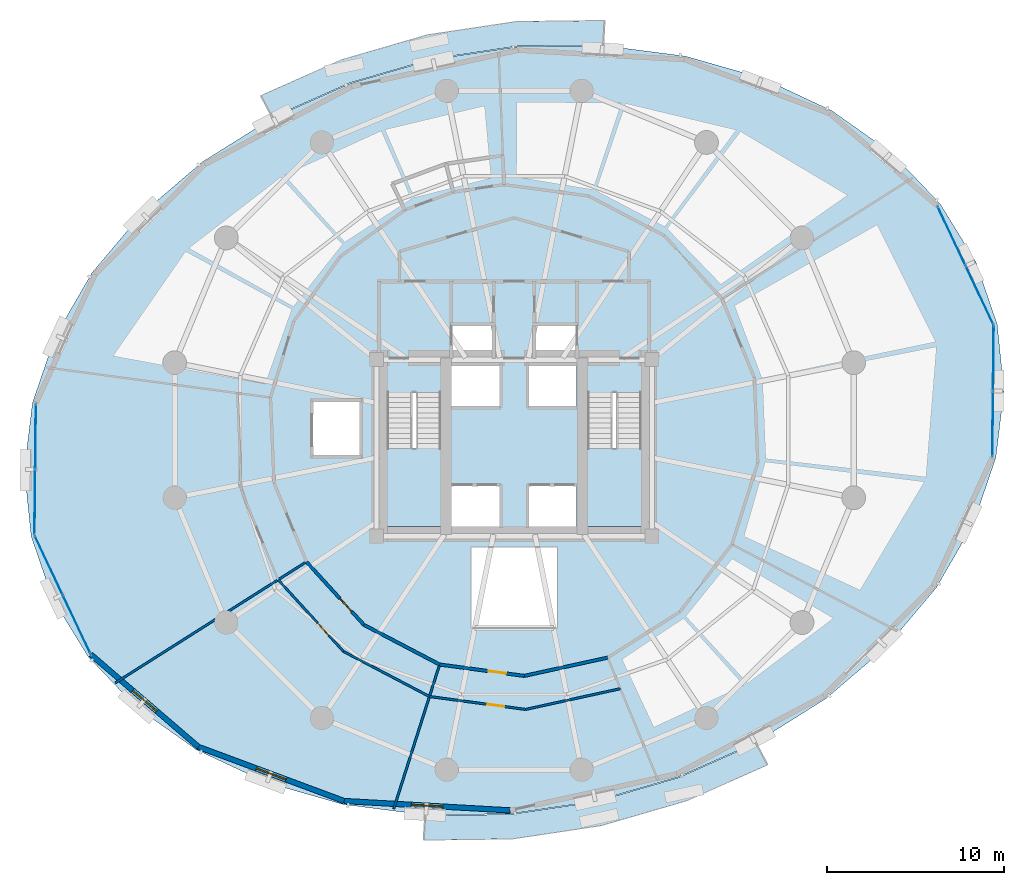
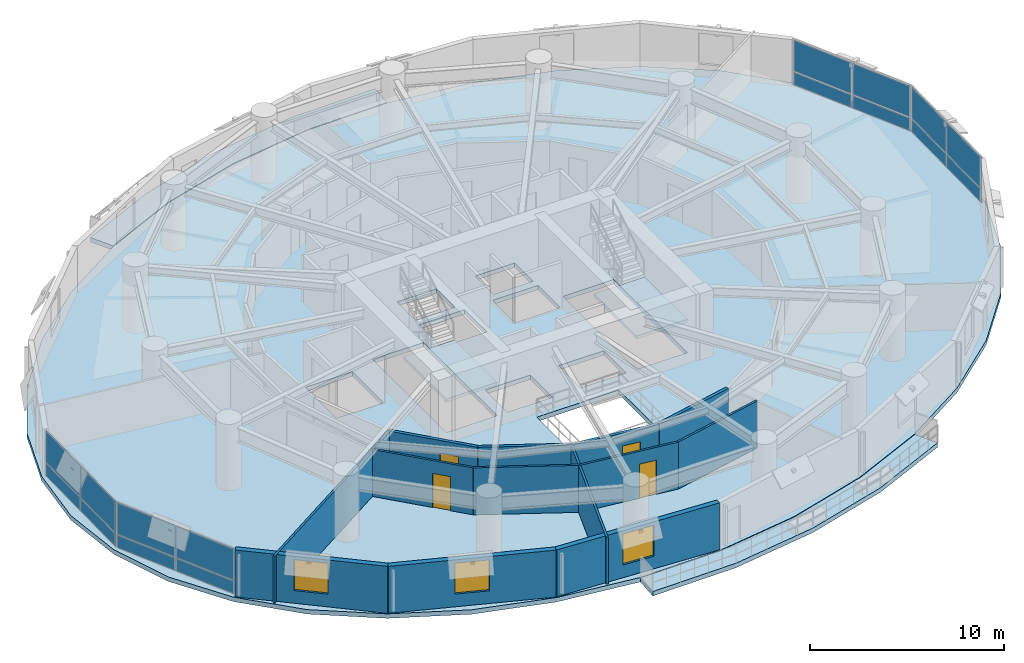
# One storey, part 11 of 17: 16 plates, 13 walls, 5 slabs, 4 doors, 3 windows, 7 openings, 6 elements without a shape of their own.
"""IFC4 building model written with IfcOpenShell, lengths in metres."""

from ifc_helpers import new_model, si_unit, direction, frame, frame_2d, origin, origin_2d, place, context, subcontext, project, spatial, polyline, rectangle, outline, extrude, material, layer, layer_set, type_object, element, fill, aggregate, save


model = new_model("IFC4")

# Units and contexts
model_context = context("Model", 3, precision=1e-05, world=origin(), true_north=direction((0.0, 1.0)))
body_context = subcontext(model_context, "Body", "Model", "MODEL_VIEW")
ifc_project = project(units=[si_unit("LENGTHUNIT", "METRE"), si_unit("AREAUNIT", "SQUARE_METRE"), si_unit("VOLUMEUNIT", "CUBIC_METRE"), si_unit("PLANEANGLEUNIT", "RADIAN"), si_unit("MASSUNIT", "GRAM", prefix="KILO"), si_unit("THERMODYNAMICTEMPERATUREUNIT", "KELVIN"), si_unit("POWERUNIT", "WATT")], contexts=[model_context])

# Site, building, storey
site_placement = place(None, origin())
site = spatial("IfcSite", under=ifc_project, at=site_placement, CompositionType="ELEMENT")
building_placement = place(site_placement, origin())
building = spatial("IfcBuilding", under=site, at=building_placement, Name="Ocrelia Relay Tower", CompositionType="ELEMENT")
storey_placement = place(building_placement, frame((0.0, 0.0, 84.60009765625)))
storey = spatial("IfcBuildingStorey", under=building, at=storey_placement, Name="L19", CompositionType="ELEMENT", Elevation=84.60009765625)

# Curtain wall, plates
ifc_material_1 = material(Name="Aluminium and solar-control low-E glass", Category="aluminium")
ifc_layer_1 = layer(ifc_material_1, 0.179931640625, Name="Aluminium and solar-control low-E glass")
ifc_layer_set_1 = layer_set([ifc_layer_1], Name="Aluminium and solar-control low-E glass")
curtain_wall_type = type_object("IfcCurtainWallType", Name="CW-SYS-Z1-DATA", PredefinedType="NOTDEFINED", material=ifc_layer_set_1)
curtain_wall_1_placement = place(storey_placement, origin())
curtain_wall_1 = element("IfcCurtainWall", 1, at=curtain_wall_1_placement, inside=storey, type_object=curtain_wall_type, Name="L19 Elliptical Tower Curtain Wall Bay 01", PredefinedType="NOTDEFINED")
ifc_material_2 = material(Name="Clear double-glazed low-E glass", Category="glass")
ifc_layer_2 = layer(ifc_material_2, 0.031982421875, Name="Clear double-glazed low-E glass")
ifc_layer_set_2 = layer_set([ifc_layer_2], Name="Clear double-glazed low-E glass")
plate_type = type_object("IfcPlateType", Name="CW-SYS-Z1-DATA-PNL", PredefinedType="CURTAIN_PANEL", material=ifc_layer_set_2)
plate_1_placement = place(storey_placement, frame((60.350341796875, 33.651123046875, 0.06494140625), z_axis=(0.0, 0.0, 1.0), x_axis=(-0.42751697878, 0.904007319027, 0.0)))
plate_1 = element("IfcPlate", 2, at=plate_1_placement, type_object=plate_type, Name="CW-Z1 panel 1.1", PredefinedType="CURTAIN_PANEL", context=body_context, shape_type="SweptSolid", body=[
    extrude(rectangle(XDim=3.6328125, YDim=0.031982421875, at=origin_2d()), origin(), (0.0, 0.0, 1.0), 0.802490234375),
])
plate_2_placement = place(storey_placement, frame((60.350341796875, 33.651123046875, 0.932373046875), z_axis=(0.0, 0.0, 1.0), x_axis=(-0.42751697878, 0.904007319027, 0.0)))
plate_2 = element("IfcPlate", 3, at=plate_2_placement, type_object=plate_type, Name="CW-Z1 panel 1.2", PredefinedType="CURTAIN_PANEL", context=body_context, shape_type="SweptSolid", body=[
    extrude(rectangle(XDim=3.6328125, YDim=0.031982421875, at=origin_2d()), origin(), (0.0, 0.0, 1.0), 1.96240234375),
])
plate_3_placement = place(storey_placement, frame((58.767333984375, 36.99853515625, 0.06494140625), z_axis=(0.0, 0.0, 1.0), x_axis=(-0.42751697878, 0.904007319027, 0.0)))
plate_3 = element("IfcPlate", 4, at=plate_3_placement, type_object=plate_type, Name="CW-Z1 panel 2.1", PredefinedType="CURTAIN_PANEL", context=body_context, shape_type="SweptSolid", body=[
    extrude(rectangle(XDim=3.6328125, YDim=0.031982421875, at=origin_2d()), origin(), (0.0, 0.0, 1.0), 0.802490234375),
])
plate_4_placement = place(storey_placement, frame((58.767333984375, 36.99853515625, 0.932373046875), z_axis=(0.0, 0.0, 1.0), x_axis=(-0.42751697878, 0.904007319027, 0.0)))
plate_4 = element("IfcPlate", 5, at=plate_4_placement, type_object=plate_type, Name="CW-Z1 panel 2.2", PredefinedType="CURTAIN_PANEL", context=body_context, shape_type="SweptSolid", body=[
    extrude(rectangle(XDim=3.6328125, YDim=0.031982421875, at=origin_2d()), origin(), (0.0, 0.0, 1.0), 1.96240234375),
])
aggregate(curtain_wall_1, [plate_1, plate_2, plate_3, plate_4])

curtain_wall_2_placement = place(storey_placement, origin())
curtain_wall_2 = element("IfcCurtainWall", 6, at=curtain_wall_2_placement, inside=storey, type_object=curtain_wall_type, Name="L19 Elliptical Tower Curtain Wall Bay 09", PredefinedType="NOTDEFINED")
plate_5_placement = place(storey_placement, frame((6.90283203125, 25.642822265625, 0.06494140625), z_axis=(0.0, 0.0, 1.0), x_axis=(-0.010648225703, -0.999943306038, 0.0)))
plate_5 = element("IfcPlate", 7, at=plate_5_placement, type_object=plate_type, Name="CW-Z1 panel 1.1", PredefinedType="CURTAIN_PANEL", context=body_context, shape_type="SweptSolid", body=[
    extrude(rectangle(XDim=3.6328125, YDim=0.031982421875, at=origin_2d()), origin(), (0.0, 0.0, 1.0), 0.802490234375),
])
plate_6_placement = place(storey_placement, frame((6.90283203125, 25.642822265625, 0.932373046875), z_axis=(0.0, 0.0, 1.0), x_axis=(-0.010648225703, -0.999943306038, 0.0)))
plate_6 = element("IfcPlate", 8, at=plate_6_placement, type_object=plate_type, Name="CW-Z1 panel 1.2", PredefinedType="CURTAIN_PANEL", context=body_context, shape_type="SweptSolid", body=[
    extrude(rectangle(XDim=3.6328125, YDim=0.031982421875, at=origin_2d()), origin(), (0.0, 0.0, 1.0), 1.96240234375),
])
plate_7_placement = place(storey_placement, frame((6.86328125, 21.9404296875, 0.06494140625), z_axis=(0.0, 0.0, 1.0), x_axis=(-0.010648225703, -0.999943306038, 0.0)))
plate_7 = element("IfcPlate", 9, at=plate_7_placement, type_object=plate_type, Name="CW-Z1 panel 2.1", PredefinedType="CURTAIN_PANEL", context=body_context, shape_type="SweptSolid", body=[
    extrude(rectangle(XDim=3.6328125, YDim=0.031982421875, at=origin_2d()), origin(), (0.0, 0.0, 1.0), 0.802490234375),
])
plate_8_placement = place(storey_placement, frame((6.86328125, 21.9404296875, 0.932373046875), z_axis=(0.0, 0.0, 1.0), x_axis=(-0.010648225703, -0.999943306038, 0.0)))
plate_8 = element("IfcPlate", 10, at=plate_8_placement, type_object=plate_type, Name="CW-Z1 panel 2.2", PredefinedType="CURTAIN_PANEL", context=body_context, shape_type="SweptSolid", body=[
    extrude(rectangle(XDim=3.6328125, YDim=0.031982421875, at=origin_2d()), origin(), (0.0, 0.0, 1.0), 1.96240234375),
])
aggregate(curtain_wall_2, [plate_5, plate_6, plate_7, plate_8])

curtain_wall_3_placement = place(storey_placement, origin())
curtain_wall_3 = element("IfcCurtainWall", 11, at=curtain_wall_3_placement, inside=storey, type_object=curtain_wall_type, Name="L19 Elliptical Tower Curtain Wall Bay 10", PredefinedType="NOTDEFINED")
plate_9_placement = place(storey_placement, frame((7.649658203125, 18.348876953125, 0.06494140625), z_axis=(0.0, 0.0, 1.0), x_axis=(0.42751697878, -0.904007319027, 0.0)))
plate_9 = element("IfcPlate", 12, at=plate_9_placement, type_object=plate_type, Name="CW-Z1 panel 1.1", PredefinedType="CURTAIN_PANEL", context=body_context, shape_type="SweptSolid", body=[
    extrude(rectangle(XDim=3.6328125, YDim=0.031982421875, at=origin_2d()), origin(), (0.0, 0.0, 1.0), 0.802490234375),
])
plate_10_placement = place(storey_placement, frame((7.649658203125, 18.348876953125, 0.932373046875), z_axis=(0.0, 0.0, 1.0), x_axis=(0.42751697878, -0.904007319027, 0.0)))
plate_10 = element("IfcPlate", 13, at=plate_10_placement, type_object=plate_type, Name="CW-Z1 panel 1.2", PredefinedType="CURTAIN_PANEL", context=body_context, shape_type="SweptSolid", body=[
    extrude(rectangle(XDim=3.6328125, YDim=0.031982421875, at=origin_2d()), origin(), (0.0, 0.0, 1.0), 1.96240234375),
])
plate_11_placement = place(storey_placement, frame((9.232666015625, 15.00146484375, 0.06494140625), z_axis=(0.0, 0.0, 1.0), x_axis=(0.42751697878, -0.904007319027, 0.0)))
plate_11 = element("IfcPlate", 14, at=plate_11_placement, type_object=plate_type, Name="CW-Z1 panel 2.1", PredefinedType="CURTAIN_PANEL", context=body_context, shape_type="SweptSolid", body=[
    extrude(rectangle(XDim=3.6328125, YDim=0.031982421875, at=origin_2d()), origin(), (0.0, 0.0, 1.0), 0.802490234375),
])
plate_12_placement = place(storey_placement, frame((9.232666015625, 15.00146484375, 0.932373046875), z_axis=(0.0, 0.0, 1.0), x_axis=(0.42751697878, -0.904007319027, 0.0)))
plate_12 = element("IfcPlate", 15, at=plate_12_placement, type_object=plate_type, Name="CW-Z1 panel 2.2", PredefinedType="CURTAIN_PANEL", context=body_context, shape_type="SweptSolid", body=[
    extrude(rectangle(XDim=3.6328125, YDim=0.031982421875, at=origin_2d()), origin(), (0.0, 0.0, 1.0), 1.96240234375),
])
aggregate(curtain_wall_3, [plate_9, plate_10, plate_11, plate_12])

curtain_wall_4_placement = place(storey_placement, origin())
curtain_wall_4 = element("IfcCurtainWall", 16, at=curtain_wall_4_placement, inside=storey, type_object=curtain_wall_type, Name="L19 Elliptical Tower Curtain Wall Bay 18", PredefinedType="NOTDEFINED")
plate_13_placement = place(storey_placement, frame((61.09716796875, 26.357177734375, 0.06494140625), z_axis=(0.0, 0.0, 1.0), x_axis=(0.010648225703, 0.999943306038, 0.0)))
plate_13 = element("IfcPlate", 17, at=plate_13_placement, type_object=plate_type, Name="CW-Z1 panel 1.1", PredefinedType="CURTAIN_PANEL", context=body_context, shape_type="SweptSolid", body=[
    extrude(rectangle(XDim=3.6328125, YDim=0.031982421875, at=origin_2d()), origin(), (0.0, 0.0, 1.0), 0.802490234375),
])
plate_14_placement = place(storey_placement, frame((61.09716796875, 26.357177734375, 0.932373046875), z_axis=(0.0, 0.0, 1.0), x_axis=(0.010648225703, 0.999943306038, 0.0)))
plate_14 = element("IfcPlate", 18, at=plate_14_placement, type_object=plate_type, Name="CW-Z1 panel 1.2", PredefinedType="CURTAIN_PANEL", context=body_context, shape_type="SweptSolid", body=[
    extrude(rectangle(XDim=3.6328125, YDim=0.031982421875, at=origin_2d()), origin(), (0.0, 0.0, 1.0), 1.96240234375),
])
plate_15_placement = place(storey_placement, frame((61.13671875, 30.0595703125, 0.06494140625), z_axis=(0.0, 0.0, 1.0), x_axis=(0.010648225703, 0.999943306038, 0.0)))
plate_15 = element("IfcPlate", 19, at=plate_15_placement, type_object=plate_type, Name="CW-Z1 panel 2.1", PredefinedType="CURTAIN_PANEL", context=body_context, shape_type="SweptSolid", body=[
    extrude(rectangle(XDim=3.6328125, YDim=0.031982421875, at=origin_2d()), origin(), (0.0, 0.0, 1.0), 0.802490234375),
])
plate_16_placement = place(storey_placement, frame((61.13671875, 30.0595703125, 0.932373046875), z_axis=(0.0, 0.0, 1.0), x_axis=(0.010648225703, 0.999943306038, 0.0)))
plate_16 = element("IfcPlate", 20, at=plate_16_placement, type_object=plate_type, Name="CW-Z1 panel 2.2", PredefinedType="CURTAIN_PANEL", context=body_context, shape_type="SweptSolid", body=[
    extrude(rectangle(XDim=3.6328125, YDim=0.031982421875, at=origin_2d()), origin(), (0.0, 0.0, 1.0), 1.96240234375),
])
aggregate(curtain_wall_4, [plate_13, plate_14, plate_15, plate_16])

# Slabs
ifc_material_3 = material(Name="Precast concrete C40/50", Category="concrete")
ifc_layer_3 = layer(ifc_material_3, 0.280029296875, Name="Precast concrete C40/50")
ifc_layer_set_3 = layer_set([ifc_layer_3], Name="Precast concrete C40/50")
slab_type_1 = type_object("IfcSlabType", Name="SL-BALC-280", PredefinedType="FLOOR", material=ifc_layer_set_3)
slab_1_placement = place(storey_placement, frame((0.0, 0.0, -0.280029296875)))
element("IfcSlab", 21, at=slab_1_placement, inside=storey, type_object=slab_type_1, Name="L19 Planted Loggia Balcony B1", PredefinedType="FLOOR", context=body_context, shape_type="SweptSolid", body=[
    extrude(outline(polyline([(39.035400390625, 47.814208984375), (36.626953125, 47.78369140625), (34.218505859375, 47.75341796875), (29.39501953125, 47.031982421875), (24.71142578125, 45.671630859375), (22.510498046875, 44.69287109375), (20.309814453125, 43.714111328125), (19.6552734375, 44.9443359375), (21.944091796875, 45.962158203125), (24.23291015625, 46.980224609375), (29.09716796875, 48.392822265625), (34.1064453125, 49.14208984375), (36.611328125, 49.173583984375), (39.1162109375, 49.205322265625), (39.035400390625, 47.814208984375)])), origin(), (0.0, 0.0, 1.0), 0.280029296875),
])
slab_2_placement = place(storey_placement, frame((0.0, 0.0, -0.280029296875)))
element("IfcSlab", 22, at=slab_2_placement, inside=storey, type_object=slab_type_1, Name="L19 Planted Loggia Balcony B2", PredefinedType="FLOOR", context=body_context, shape_type="SweptSolid", body=[
    extrude(outline(polyline([(28.964599609375, 4.185791015625), (31.372802734375, 4.21630859375), (33.781494140625, 4.24658203125), (38.60498046875, 4.968017578125), (43.28857421875, 6.328369140625), (45.489501953125, 7.30712890625), (47.690185546875, 8.285888671875), (48.3447265625, 7.0556640625), (46.055908203125, 6.03759765625), (43.76708984375, 5.019775390625), (38.90283203125, 3.607177734375), (33.8935546875, 2.85791015625), (31.388671875, 2.826416015625), (28.8837890625, 2.794677734375), (28.964599609375, 4.185791015625)])), origin(), (0.0, 0.0, 1.0), 0.280029296875),
])
ifc_material_4 = material(Name="Concrete C50/60", Category="concrete")
ifc_layer_4 = layer(ifc_material_4, 0.280029296875, Name="Concrete C50/60")
ifc_layer_set_4 = layer_set([ifc_layer_4], Name="Concrete C50/60")
slab_type_2 = type_object("IfcSlabType", Name="SL-FLR-280", PredefinedType="FLOOR", material=ifc_layer_set_4)
slab_3_placement = place(storey_placement, frame((0.0, 0.0, -0.280029296875)))
element("IfcSlab", 23, at=slab_3_placement, inside=storey, type_object=slab_type_2, Name="L19 Elliptical Tower Floor Slab", PredefinedType="FLOOR", context=body_context, shape_type="SweptSolid", body=[
    extrude(outline(polyline([(61.35205078125, 31.98876953125), (60.137939453125, 35.544921875), (58.1298828125, 38.810791015625), (55.38818359375, 41.6875), (51.9970703125, 44.087890625), (48.058837890625, 45.938232421875), (43.693603515625, 47.18310546875), (39.03369140625, 47.7841796875), (34.220947265625, 47.723388671875), (29.401611328125, 47.00244140625), (24.7216796875, 45.6435546875), (20.323974609375, 43.6875), (16.341552734375, 41.1943359375), (12.895751953125, 38.239501953125), (10.09130859375, 34.91259765625), (8.01318359375, 31.31494140625), (6.724609375, 27.5556640625), (6.264892578125, 23.749267578125), (6.64794921875, 20.01123046875), (7.862060546875, 16.455078125), (9.8701171875, 13.189208984375), (12.61181640625, 10.3125), (16.0029296875, 7.912109375), (19.941162109375, 6.061767578125), (24.306396484375, 4.81689453125), (28.96630859375, 4.2158203125), (33.779052734375, 4.276611328125), (38.598388671875, 4.99755859375), (43.2783203125, 6.3564453125), (47.676025390625, 8.3125), (51.658447265625, 10.8056640625), (55.104248046875, 13.760498046875), (57.90869140625, 17.08740234375), (59.98681640625, 20.68505859375), (61.275390625, 24.4443359375), (61.735107421875, 28.250732421875), (61.35205078125, 31.98876953125)]), holes=[polyline([(26.81005859375, 28.14990234375), (26.81005859375, 20.550048828125), (29.85009765625, 20.550048828125), (29.85009765625, 28.14990234375), (26.81005859375, 28.14990234375)]), polyline([(38.159912109375, 28.14990234375), (38.159912109375, 20.550048828125), (41.199951171875, 20.550048828125), (41.199951171875, 28.14990234375), (38.159912109375, 28.14990234375)]), polyline([(30.4599609375, 20.550048828125), (33.159912109375, 20.550048828125), (33.159912109375, 22.85009765625), (30.4599609375, 22.85009765625), (30.4599609375, 20.550048828125)]), polyline([(34.840087890625, 20.550048828125), (37.5400390625, 20.550048828125), (37.5400390625, 22.85009765625), (34.840087890625, 22.85009765625), (34.840087890625, 20.550048828125)]), polyline([(30.4599609375, 27.35009765625), (33.159912109375, 27.35009765625), (33.159912109375, 29.64990234375), (30.4599609375, 29.64990234375), (30.4599609375, 27.35009765625)]), polyline([(34.840087890625, 27.35009765625), (37.5400390625, 27.35009765625), (37.5400390625, 29.64990234375), (34.840087890625, 29.64990234375), (34.840087890625, 27.35009765625)]), polyline([(30.5, 30.10009765625), (32.85009765625, 30.10009765625), (32.85009765625, 32.0), (30.5, 32.0), (30.5, 30.10009765625)]), polyline([(35.14990234375, 30.10009765625), (37.5, 30.10009765625), (37.5, 32.0), (35.14990234375, 32.0), (35.14990234375, 30.10009765625)]), polyline([(22.550048828125, 24.5), (25.35009765625, 24.5), (25.35009765625, 27.699951171875), (22.550048828125, 27.699951171875), (22.550048828125, 24.5)]), polyline([(31.550048828125, 14.800048828125), (36.449951171875, 14.800048828125), (36.449951171875, 19.39990234375), (31.550048828125, 19.39990234375), (31.550048828125, 14.800048828125)])]), origin(), (0.0, 0.0, 1.0), 0.280029296875),
])

# Stair, slab
stair_type = type_object("IfcStairType", Name="ST-DL-1420-R175", PredefinedType="HALF_TURN_STAIR", material=ifc_material_4)
stair_1_placement = place(storey_placement, origin())
stair_1 = element("IfcStair", 24, at=stair_1_placement, inside=storey, type_object=stair_type, Name="L19 West Core Exit Stair ST1", PredefinedType="HALF_TURN_STAIR")
ifc_layer_5 = layer(ifc_material_4, 0.199951171875, Name="Concrete C50/60")
ifc_layer_set_5 = layer_set([ifc_layer_5], Name="Concrete C50/60")
slab_type_3 = type_object("IfcSlabType", Name="SL-LANDING-200", PredefinedType="LANDING", material=ifc_layer_set_5)
slab_4_placement = place(storey_placement, frame((0.0, 0.0, 1.89990234375)))
slab_4 = element("IfcSlab", 25, at=slab_4_placement, type_object=slab_type_3, Name="ST1 landing 1", PredefinedType="LANDING", context=body_context, shape_type="SweptSolid", body=[
    extrude(outline(polyline([(26.81005859375, 24.9599609375), (26.81005859375, 20.550048828125), (29.85009765625, 20.550048828125), (29.85009765625, 24.9599609375), (26.81005859375, 24.9599609375)])), origin(), (0.0, 0.0, 1.0), 0.199951171875),
])
aggregate(stair_1, [slab_4])

stair_2_placement = place(storey_placement, origin())
stair_2 = element("IfcStair", 26, at=stair_2_placement, inside=storey, type_object=stair_type, Name="L19 East Core Exit Stair ST2", PredefinedType="HALF_TURN_STAIR")
slab_5_placement = place(storey_placement, frame((0.0, 0.0, 1.89990234375)))
slab_5 = element("IfcSlab", 27, at=slab_5_placement, type_object=slab_type_3, Name="ST2 landing 1", PredefinedType="LANDING", context=body_context, shape_type="SweptSolid", body=[
    extrude(outline(polyline([(38.159912109375, 24.9599609375), (38.159912109375, 20.550048828125), (41.199951171875, 20.550048828125), (41.199951171875, 24.9599609375), (38.159912109375, 24.9599609375)])), origin(), (0.0, 0.0, 1.0), 0.199951171875),
])
aggregate(stair_2, [slab_5])

# Wall, opening, door
ifc_material_5 = material(Name="Gypsum Fireboard Partition EI60", Category="gypsum")
ifc_layer_6 = layer(ifc_material_5, 0.179931640625, Name="Gypsum Fireboard Partition EI60")
ifc_layer_set_6 = layer_set([ifc_layer_6], Name="Gypsum Fireboard Partition EI60")
wall_type_1 = type_object("IfcWallType", Name="W-CORR-EI60-180", PredefinedType="PARTITIONING", material=ifc_layer_set_6)
wall_1_placement = place(storey_placement, frame((22.240478515625, 18.551513671875, 0.0), z_axis=(0.0, 0.0, 1.0), x_axis=(0.673677614221, -0.739025352811, 0.0)))
wall_1 = element("IfcWall", 28, at=wall_1_placement, inside=storey, type_object=wall_type_1, Name="L19 Arrival Reception Gallery Corridor Partition 1", PredefinedType="PARTITIONING", context=body_context, shape_type="SweptSolid", body=[
    extrude(rectangle(XDim=4.83447265625, YDim=0.179931640625, at=frame_2d((2.417236328125, 0.0))), origin(), (0.0, 0.0, 1.0), 2.9599609375),
])
opening_1_placement = place(wall_1_placement, frame((2.80078125, 0.0, 0.0)))
opening_1 = element("IfcOpeningElement", 29, at=opening_1_placement, cuts=wall_1, Name="Opening D-RM100", PredefinedType="OPENING", context=body_context, shape_type="SweptSolid", body=[
    extrude(rectangle(XDim=1.0, YDim=2.14990234375, at=frame_2d((0.5, 1.074951171875))), frame((0.0, 0.10009765625, 0.0), z_axis=(0.0, -1.0, 0.0), x_axis=(1.0, 0.0, 0.0)), (0.0, 0.0, 1.0), 0.199951171875),
])
ifc_material_6 = material(Name="Acoustic oak veneer fire door", Category="wood")
door_type_1 = type_object("IfcDoorType", Name="DR-ROOM-FD60-1000", OperationType="NOTDEFINED", PredefinedType="DOOR", material=ifc_material_6)
door_1_placement = place(opening_1_placement, origin())
door_1 = element("IfcDoor", 30, at=door_1_placement, inside=storey, type_object=door_type_1, Name="L19 Arrival Reception Gallery Entrance Door", OperationType="SINGLE_SWING_LEFT", OverallHeight=2.14990234375, OverallWidth=1.0, PredefinedType="DOOR", context=body_context, shape_type="SweptSolid", body=[
    extrude(rectangle(XDim=1.0, YDim=2.14990234375, at=frame_2d((0.5, 1.074951171875))), frame((0.0, 0.02490234375, 0.0), z_axis=(0.0, -1.0, 0.0), x_axis=(1.0, 0.0, 0.0)), (0.0, 0.0, 1.0), 0.050048828125),
])
fill(opening_1, door_1)

# Wall
wall_2_placement = place(storey_placement, frame((25.497314453125, 14.978759765625, 0.0), z_axis=(0.0, 0.0, 1.0), x_axis=(0.885791991461, -0.464082479591, 0.0)))
element("IfcWall", 31, at=wall_2_placement, inside=storey, type_object=wall_type_1, Name="L19 Arrival Reception Gallery Corridor Partition 2", PredefinedType="PARTITIONING", context=body_context, shape_type="SweptSolid", body=[
    extrude(rectangle(XDim=4.833984375, YDim=0.179931640625, at=frame_2d((2.4169921875, 0.0))), origin(), (0.0, 0.0, 1.0), 2.9599609375),
])

# Wall, opening, door
wall_3_placement = place(storey_placement, frame((29.779296875, 12.7353515625, 0.0), z_axis=(0.0, 0.0, 1.0), x_axis=(0.991100422672, -0.133116310719, 0.0)))
wall_3 = element("IfcWall", 32, at=wall_3_placement, inside=storey, type_object=wall_type_1, Name="L19 Client Welcome Foyer Corridor Partition 1", PredefinedType="PARTITIONING", context=body_context, shape_type="SweptSolid", body=[
    extrude(rectangle(XDim=4.83447265625, YDim=0.179931640625, at=frame_2d((2.417236328125, 0.0))), origin(), (0.0, 0.0, 1.0), 2.9599609375),
])
opening_2_placement = place(wall_3_placement, frame((2.80078125, 0.0, 0.0)))
opening_2 = element("IfcOpeningElement", 33, at=opening_2_placement, cuts=wall_3, Name="Opening D-RM100", PredefinedType="OPENING", context=body_context, shape_type="SweptSolid", body=[
    extrude(rectangle(XDim=1.0, YDim=2.14990234375, at=frame_2d((0.5, 1.074951171875))), frame((0.0, 0.10009765625, 0.0), z_axis=(0.0, -1.0, 0.0), x_axis=(1.0, 0.0, 0.0)), (0.0, 0.0, 1.0), 0.199951171875),
])
door_2_placement = place(opening_2_placement, origin())
door_2 = element("IfcDoor", 34, at=door_2_placement, inside=storey, type_object=door_type_1, Name="L19 Client Welcome Foyer Entrance Door", OperationType="SINGLE_SWING_LEFT", OverallHeight=2.14990234375, OverallWidth=1.0, PredefinedType="DOOR", context=body_context, shape_type="SweptSolid", body=[
    extrude(rectangle(XDim=1.0, YDim=2.14990234375, at=frame_2d((0.5, 1.074951171875))), frame((0.0, 0.02490234375, 0.0), z_axis=(0.0, -1.0, 0.0), x_axis=(1.0, 0.0, 0.0)), (0.0, 0.0, 1.0), 0.050048828125),
])
fill(opening_2, door_2)

# Wall
wall_4_placement = place(storey_placement, frame((34.57080078125, 12.091796875, 0.0), z_axis=(0.0, 0.0, 1.0), x_axis=(0.976860794811, 0.213876103295, 0.0)))
element("IfcWall", 35, at=wall_4_placement, inside=storey, type_object=wall_type_1, Name="L19 Client Welcome Foyer Corridor Partition 2", PredefinedType="PARTITIONING", context=body_context, shape_type="SweptSolid", body=[
    extrude(rectangle(XDim=4.834228515625, YDim=0.179931640625, at=frame_2d((2.4169921875, 0.0))), origin(), (0.0, 0.0, 1.0), 2.9599609375),
])

# Wall, opening, window
ifc_material_7 = material(Name="Precast concrete C40/50 with oxide terracotta", Category="masonry")
ifc_layer_7 = layer(ifc_material_7, 0.300048828125, Name="Precast concrete C40/50 with oxide terracotta")
ifc_layer_set_7 = layer_set([ifc_layer_7], Name="Precast concrete C40/50 with oxide terracotta")
wall_type_2 = type_object("IfcWallType", Name="W-EXT-TERR-300", PredefinedType="SOLIDWALL", material=ifc_layer_set_7)
wall_5_placement = place(storey_placement, frame((10.039306640625, 13.296142578125, 0.0), z_axis=(0.0, 0.0, 1.0), x_axis=(0.758684823953, -0.651457855815, 0.0)))
wall_5 = element("IfcWall", 36, at=wall_5_placement, inside=storey, type_object=wall_type_2, Name="L19 Oxide Terracotta Facade Wall 11", PredefinedType="SOLIDWALL", context=body_context, shape_type="SweptSolid", body=[
    extrude(rectangle(XDim=8.021484375, YDim=0.300048828125, at=frame_2d((4.0107421875, 0.0))), origin(), (0.0, 0.0, 1.0), 2.9599609375),
])
opening_3_placement = place(wall_5_placement, frame((3.111083984375, 0.0, 0.800048828125)))
opening_3 = element("IfcOpeningElement", 37, at=opening_3_placement, cuts=wall_5, Name="Opening W-02", PredefinedType="OPENING", context=body_context, shape_type="SweptSolid", body=[
    extrude(rectangle(XDim=1.800048828125, YDim=1.949951171875, at=frame_2d((0.89990234375, 0.97509765625))), frame((0.0, 0.16015625, 0.0), z_axis=(0.0, -1.0, 0.0), x_axis=(1.0, 0.0, 0.0)), (0.0, 0.0, 1.0), 0.320068359375),
])
window_type = type_object("IfcWindowType", Name="WIN-Z1-1800x2100", PartitioningType="DOUBLE_PANEL_VERTICAL", PredefinedType="WINDOW", material=ifc_material_2)
window_1_placement = place(opening_3_placement, origin())
window_1 = element("IfcWindow", 38, at=window_1_placement, inside=storey, type_object=window_type, Name="L19 Facade Module Window 11", OverallHeight=1.949951171875, OverallWidth=1.800048828125, PartitioningType="SINGLE_PANEL", PredefinedType="WINDOW", context=body_context, shape_type="SweptSolid", body=[
    extrude(rectangle(XDim=1.800048828125, YDim=1.949951171875, at=frame_2d((0.89990234375, 0.97509765625))), frame((0.0, 0.030029296875, 0.0), z_axis=(0.0, -1.0, 0.0), x_axis=(1.0, 0.0, 0.0)), (0.0, 0.0, 1.0), 0.06005859375),
])
fill(opening_3, window_1)

wall_6_placement = place(storey_placement, frame((16.125, 8.070556640625, 0.0), z_axis=(0.0, 0.0, 1.0), x_axis=(0.937362334375, -0.348355930184, 0.0)))
wall_6 = element("IfcWall", 39, at=wall_6_placement, inside=storey, type_object=wall_type_2, Name="L19 Oxide Terracotta Facade Wall 12", PredefinedType="SOLIDWALL", context=body_context, shape_type="SweptSolid", body=[
    extrude(rectangle(XDim=8.792724609375, YDim=0.300048828125, at=frame_2d((4.396484375, 0.0))), origin(), (0.0, 0.0, 1.0), 2.9599609375),
])
opening_4_placement = place(wall_6_placement, frame((3.49609375, 0.0, 0.800048828125)))
opening_4 = element("IfcOpeningElement", 40, at=opening_4_placement, cuts=wall_6, Name="Opening W-02", PredefinedType="OPENING", context=body_context, shape_type="SweptSolid", body=[
    extrude(rectangle(XDim=1.800048828125, YDim=1.949951171875, at=frame_2d((0.89990234375, 0.97509765625))), frame((0.0, 0.16015625, 0.0), z_axis=(0.0, -1.0, 0.0), x_axis=(1.0, 0.0, 0.0)), (0.0, 0.0, 1.0), 0.320068359375),
])
window_2_placement = place(opening_4_placement, origin())
window_2 = element("IfcWindow", 41, at=window_2_placement, inside=storey, type_object=window_type, Name="L19 Facade Module Window 12", OverallHeight=1.949951171875, OverallWidth=1.800048828125, PartitioningType="SINGLE_PANEL", PredefinedType="WINDOW", context=body_context, shape_type="SweptSolid", body=[
    extrude(rectangle(XDim=1.800048828125, YDim=1.949951171875, at=frame_2d((0.89990234375, 0.97509765625))), frame((0.0, 0.030029296875, 0.0), z_axis=(0.0, -1.0, 0.0), x_axis=(1.0, 0.0, 0.0)), (0.0, 0.0, 1.0), 0.06005859375),
])
fill(opening_4, window_2)

wall_7_placement = place(storey_placement, frame((24.366943359375, 5.007568359375, 0.0), z_axis=(0.0, 0.0, 1.0), x_axis=(0.998409535383, -0.056377297353, 0.0)))
wall_7 = element("IfcWall", 42, at=wall_7_placement, inside=storey, type_object=wall_type_2, Name="L19 Oxide Terracotta Facade Wall 13", PredefinedType="SOLIDWALL", context=body_context, shape_type="SweptSolid", body=[
    extrude(rectangle(XDim=9.418701171875, YDim=0.300048828125, at=frame_2d((4.70947265625, 0.0))), origin(), (0.0, 0.0, 1.0), 2.9599609375),
])
opening_5_placement = place(wall_7_placement, frame((3.80908203125, 0.0, 0.800048828125)))
opening_5 = element("IfcOpeningElement", 43, at=opening_5_placement, cuts=wall_7, Name="Opening W-02", PredefinedType="OPENING", context=body_context, shape_type="SweptSolid", body=[
    extrude(rectangle(XDim=1.800048828125, YDim=1.949951171875, at=frame_2d((0.89990234375, 0.97509765625))), frame((0.0, 0.16015625, 0.0), z_axis=(0.0, -1.0, 0.0), x_axis=(1.0, 0.0, 0.0)), (0.0, 0.0, 1.0), 0.320068359375),
])
window_3_placement = place(opening_5_placement, origin())
window_3 = element("IfcWindow", 44, at=window_3_placement, inside=storey, type_object=window_type, Name="L19 Facade Module Window 13", OverallHeight=1.949951171875, OverallWidth=1.800048828125, PartitioningType="SINGLE_PANEL", PredefinedType="WINDOW", context=body_context, shape_type="SweptSolid", body=[
    extrude(rectangle(XDim=1.800048828125, YDim=1.949951171875, at=frame_2d((0.89990234375, 0.97509765625))), frame((0.0, 0.030029296875, 0.0), z_axis=(0.0, -1.0, 0.0), x_axis=(1.0, 0.0, 0.0)), (0.0, 0.0, 1.0), 0.06005859375),
])
fill(opening_5, window_3)

# Walls
ifc_material_8 = material(Name="Acoustic Fireboard Partition EI60", Category="gypsum")
ifc_layer_8 = layer(ifc_material_8, 0.125, Name="Acoustic Fireboard Partition EI60")
ifc_layer_set_8 = layer_set([ifc_layer_8], Name="Acoustic Fireboard Partition EI60")
wall_type_3 = type_object("IfcWallType", Name="W-PART-125", PredefinedType="PARTITIONING", material=ifc_layer_set_8)
wall_8_placement = place(storey_placement, frame((22.240478515625, 18.551513671875, 0.0), z_axis=(0.0, 0.0, 1.0), x_axis=(-0.844793501384, -0.535092459318, 0.0)))
element("IfcWall", 45, at=wall_8_placement, inside=storey, type_object=wall_type_3, Name="L19 Visitor Concierge Foyer Radial Partition", PredefinedType="PARTITIONING", context=body_context, shape_type="SweptSolid", body=[
    extrude(rectangle(XDim=12.80224609375, YDim=0.125, at=frame_2d((6.401123046875, 0.0))), origin(), (0.0, 0.0, 1.0), 2.9599609375),
])
wall_9_placement = place(storey_placement, frame((29.779296875, 12.7353515625, 0.0), z_axis=(0.0, 0.0, 1.0), x_axis=(-0.303186024905, -0.952931390134, 0.0)))
element("IfcWall", 46, at=wall_9_placement, inside=storey, type_object=wall_type_3, Name="L19 Arrival Reception Gallery Radial Partition", PredefinedType="PARTITIONING", context=body_context, shape_type="SweptSolid", body=[
    extrude(rectangle(XDim=8.57275390625, YDim=0.125, at=frame_2d((4.286376953125, 0.0))), origin(), (0.0, 0.0, 1.0), 2.9599609375),
])

# Wall, opening, door
wall_10_placement = place(storey_placement, frame((20.63525390625, 17.534912109375, 0.0), z_axis=(0.0, 0.0, 1.0), x_axis=(0.673669644178, -0.739032618031, 0.0)))
wall_10 = element("IfcWall", 47, at=wall_10_placement, inside=storey, type_object=wall_type_3, Name="L19 Perimeter Arrival Reception Gallery Mid-Ring Partition 1", PredefinedType="PARTITIONING", context=body_context, shape_type="SweptSolid", body=[
    extrude(rectangle(XDim=5.494384765625, YDim=0.125, at=frame_2d((2.7470703125, 0.0))), origin(), (0.0, 0.0, 1.0), 2.9599609375),
])
opening_6_placement = place(wall_10_placement, frame((3.318115234375, 0.0, 0.0)))
opening_6 = element("IfcOpeningElement", 48, at=opening_6_placement, cuts=wall_10, Name="Opening D-RM95", PredefinedType="OPENING", context=body_context, shape_type="SweptSolid", body=[
    extrude(rectangle(XDim=0.949951171875, YDim=2.14990234375, at=frame_2d((0.47509765625, 1.074951171875))), frame((0.0, 0.072509765625, 0.0), z_axis=(0.0, -1.0, 0.0), x_axis=(1.0, 0.0, 0.0)), (0.0, 0.0, 1.0), 0.14501953125),
])
door_type_2 = type_object("IfcDoorType", Name="DR-ROOM-950", OperationType="NOTDEFINED", PredefinedType="DOOR", material=ifc_material_6)
door_3_placement = place(opening_6_placement, origin())
door_3 = element("IfcDoor", 49, at=door_3_placement, inside=storey, type_object=door_type_2, Name="L19 Perimeter Arrival Reception Gallery Connecting Door", OperationType="SINGLE_SWING_RIGHT", OverallHeight=2.14990234375, OverallWidth=0.949951171875, PredefinedType="DOOR", context=body_context, shape_type="SweptSolid", body=[
    extrude(rectangle(XDim=0.949951171875, YDim=2.14990234375, at=frame_2d((0.47509765625, 1.074951171875))), frame((0.0, 0.02490234375, 0.0), z_axis=(0.0, -1.0, 0.0), x_axis=(1.0, 0.0, 0.0)), (0.0, 0.0, 1.0), 0.050048828125),
])
fill(opening_6, door_3)

# Wall
wall_11_placement = place(storey_placement, frame((24.336669921875, 13.474365234375, 0.0), z_axis=(0.0, 0.0, 1.0), x_axis=(0.885806310858, -0.464055147201, 0.0)))
element("IfcWall", 50, at=wall_11_placement, inside=storey, type_object=wall_type_3, Name="L19 Perimeter Arrival Reception Gallery Mid-Ring Partition 2", PredefinedType="PARTITIONING", context=body_context, shape_type="SweptSolid", body=[
    extrude(rectangle(XDim=5.494140625, YDim=0.125, at=frame_2d((2.7470703125, 0.0))), origin(), (0.0, 0.0, 1.0), 2.9599609375),
])

# Wall, opening, door
wall_12_placement = place(storey_placement, frame((29.203369140625, 10.9248046875, 0.0), z_axis=(0.0, 0.0, 1.0), x_axis=(0.991098584907, -0.133129992844, 0.0)))
wall_12 = element("IfcWall", 51, at=wall_12_placement, inside=storey, type_object=wall_type_3, Name="L19 Perimeter Client Welcome Foyer Mid-Ring Partition 1", PredefinedType="PARTITIONING", context=body_context, shape_type="SweptSolid", body=[
    extrude(rectangle(XDim=5.494140625, YDim=0.125, at=frame_2d((2.7470703125, 0.0))), origin(), (0.0, 0.0, 1.0), 2.9599609375),
])
opening_7_placement = place(wall_12_placement, frame((3.318115234375, 0.0, 0.0)))
opening_7 = element("IfcOpeningElement", 52, at=opening_7_placement, cuts=wall_12, Name="Opening D-RM95", PredefinedType="OPENING", context=body_context, shape_type="SweptSolid", body=[
    extrude(rectangle(XDim=0.949951171875, YDim=2.14990234375, at=frame_2d((0.47509765625, 1.074951171875))), frame((0.0, 0.072509765625, 0.0), z_axis=(0.0, -1.0, 0.0), x_axis=(1.0, 0.0, 0.0)), (0.0, 0.0, 1.0), 0.14501953125),
])
door_4_placement = place(opening_7_placement, origin())
door_4 = element("IfcDoor", 53, at=door_4_placement, inside=storey, type_object=door_type_2, Name="L19 Perimeter Client Welcome Foyer Connecting Door", OperationType="SINGLE_SWING_RIGHT", OverallHeight=2.14990234375, OverallWidth=0.949951171875, PredefinedType="DOOR", context=body_context, shape_type="SweptSolid", body=[
    extrude(rectangle(XDim=0.949951171875, YDim=2.14990234375, at=frame_2d((0.47509765625, 1.074951171875))), frame((0.0, 0.02490234375, 0.0), z_axis=(0.0, -1.0, 0.0), x_axis=(1.0, 0.0, 0.0)), (0.0, 0.0, 1.0), 0.050048828125),
])
fill(opening_7, door_4)

# Wall
wall_13_placement = place(storey_placement, frame((34.648681640625, 10.193359375, 0.0), z_axis=(0.0, 0.0, 1.0), x_axis=(0.976862897435, 0.213866499516, 0.0)))
element("IfcWall", 54, at=wall_13_placement, inside=storey, type_object=wall_type_3, Name="L19 Perimeter Client Welcome Foyer Mid-Ring Partition 2", PredefinedType="PARTITIONING", context=body_context, shape_type="SweptSolid", body=[
    extrude(rectangle(XDim=5.494384765625, YDim=0.125, at=frame_2d((2.7470703125, 0.0))), origin(), (0.0, 0.0, 1.0), 2.9599609375),
])

save(model, "model.ifc")
